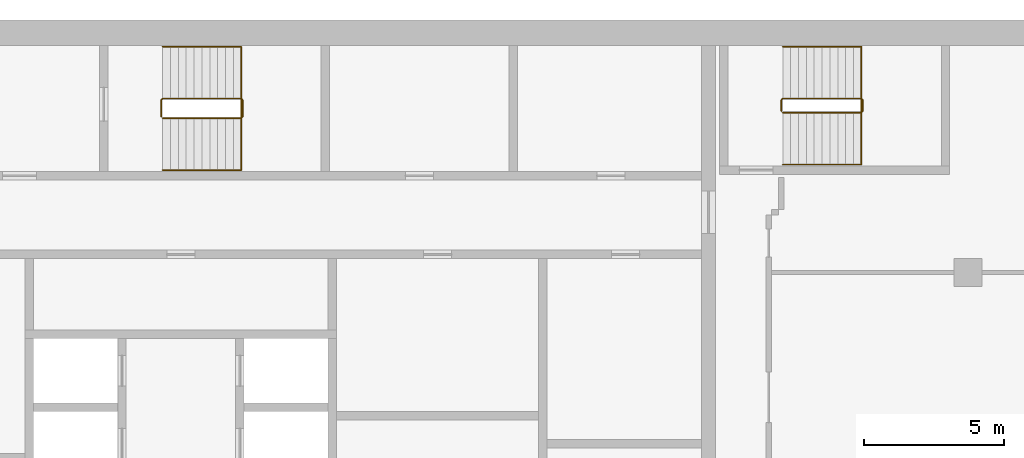
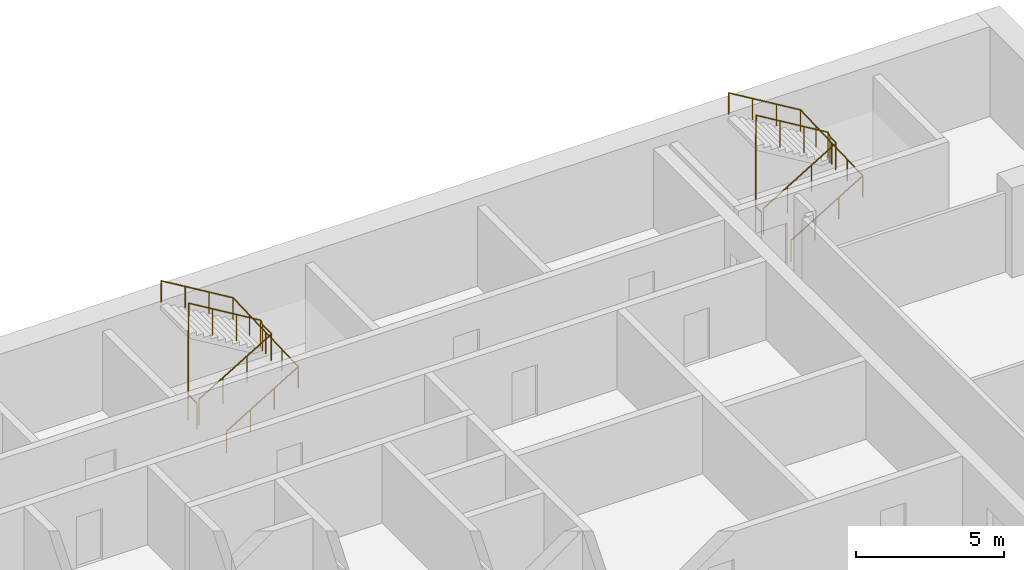
# One storey, part 17 of 17: 4 railings.
"""IFC4 building model written with IfcOpenShell, lengths in metres."""

from ifc_helpers import new_model, si_unit, direction, frame, origin, origin_2d, place, context, subcontext, project, spatial, circle, extrude, material, type_object, element, save


model = new_model("IFC4")

# Units and contexts
model_context = context("Model", 3, precision=1e-05, world=origin(), true_north=direction((0.0, 1.0)))
body_context = subcontext(model_context, "Body", "Model", "MODEL_VIEW")
ifc_project = project(units=[si_unit("LENGTHUNIT", "METRE"), si_unit("AREAUNIT", "SQUARE_METRE"), si_unit("VOLUMEUNIT", "CUBIC_METRE"), si_unit("PLANEANGLEUNIT", "RADIAN"), si_unit("MASSUNIT", "GRAM", prefix="KILO")], contexts=[model_context])

# Site, building, storey
site_placement = place(None, origin())
site = spatial("IfcSite", under=ifc_project, at=site_placement, CompositionType="ELEMENT")
building_placement = place(site_placement, origin())
building = spatial("IfcBuilding", under=site, at=building_placement, Name="Hunhe Ridgeline Campus", CompositionType="ELEMENT")
storey_placement = place(building_placement, frame((0.0, 0.0, 272.5)))
storey = spatial("IfcBuildingStorey", under=building, at=storey_placement, Name="L70", CompositionType="ELEMENT", Elevation=272.5)

# Railings
ifc_material_1 = material(Name="Stainless steel balustrade", Category="steel")
railing_type_1 = type_object("IfcRailingType", Name="Stair guard 1100 stainless", PredefinedType="GUARDRAIL", material=ifc_material_1)
railing_1_placement = place(storey_placement, frame((16.300048828125, 95.5, 0.168212890625)))
element("IfcRailing", 1, at=railing_1_placement, inside=storey, type_object=railing_type_1, Name="L70 stair S1 guard", PredefinedType="GUARDRAIL", context=body_context, shape_type="SweptSolid", body=[
    extrude(circle(Radius=0.02392578125, at=origin_2d()), frame((0.0, 0.0, 1.076171875), z_axis=(0.857242210791, 0.0, 0.514913383045), x_axis=(0.0, 1.0, 0.0)), (0.0, 0.0, 1.0), 3.266357421875),
    extrude(circle(Radius=0.02392578125, at=origin_2d()), frame((2.800048828125, 0.0, 2.7578125), z_axis=(0.705375805398, 0.708833529934, 0.0), x_axis=(-0.708833529934, 0.705375805398, 0.0)), (0.0, 0.0, 1.0), 0.070556640625),
    extrude(circle(Radius=0.02392578125, at=origin_2d()), frame((2.849853515625, 0.050048828125, 2.7578125), z_axis=(0.0, 1.0, 0.0), x_axis=(-1.0, 0.0, 0.0)), (0.0, 0.0, 1.0), 0.599853515625),
    extrude(circle(Radius=0.02392578125, at=origin_2d()), frame((2.849853515625, 0.64990234375, 2.7578125), z_axis=(-0.273343290215, 0.274683208305, 0.921863645432), x_axis=(-0.708833529934, -0.705375805398, 0.0)), (0.0, 0.0, 1.0), 0.18212890625),
    extrude(circle(Radius=0.02392578125, at=origin_2d()), frame((2.800048828125, 0.699951171875, 2.92578125), z_axis=(-0.857242210791, 0.0, 0.514913383045), x_axis=(0.0, -1.0, 0.0)), (0.0, 0.0, 1.0), 3.266357421875),
    extrude(circle(Radius=0.02392578125, at=origin_2d()), frame((0.0, 0.699951171875, 4.60791015625), z_axis=(-0.013524414389, -0.013524414389, -0.999817073484), x_axis=(0.707106781187, -0.707106781187, 0.0)), (0.0, 0.0, 1.0), 3.70068359375),
    extrude(circle(Radius=0.02392578125, at=origin_2d()), frame((-0.050048828125, 0.64990234375, 0.90771484375), z_axis=(0.0, -1.0, 0.0), x_axis=(1.0, 0.0, 0.0)), (0.0, 0.0, 1.0), 0.599853515625),
    extrude(circle(Radius=0.02099609375, at=origin_2d()), origin(), (0.0, 0.0, 1.0), 1.052001953125),
    extrude(circle(Radius=0.02099609375, at=origin_2d()), frame((0.933349609375, 0.0, 0.560546875)), (0.0, 0.0, 1.0), 1.052001953125),
    extrude(circle(Radius=0.02099609375, at=origin_2d()), frame((1.86669921875, 0.0, 1.121337890625)), (0.0, 0.0, 1.0), 1.052001953125),
    extrude(circle(Radius=0.02099609375, at=origin_2d()), frame((2.800048828125, 0.0, 1.681884765625)), (0.0, 0.0, 1.0), 1.052001953125),
    extrude(circle(Radius=0.02099609375, at=origin_2d()), frame((2.849853515625, 0.050048828125, 1.681884765625)), (0.0, 0.0, 1.0), 1.052001953125),
    extrude(circle(Radius=0.02099609375, at=origin_2d()), frame((2.849853515625, 0.64990234375, 1.681884765625)), (0.0, 0.0, 1.0), 1.052001953125),
    extrude(circle(Radius=0.02099609375, at=origin_2d()), frame((2.800048828125, 0.699951171875, 1.849853515625)), (0.0, 0.0, 1.0), 1.052001953125),
    extrude(circle(Radius=0.02099609375, at=origin_2d()), frame((1.86669921875, 0.699951171875, 2.410400390625)), (0.0, 0.0, 1.0), 1.052001953125),
    extrude(circle(Radius=0.02099609375, at=origin_2d()), frame((0.933349609375, 0.699951171875, 2.97119140625)), (0.0, 0.0, 1.0), 1.052001953125),
    extrude(circle(Radius=0.02099609375, at=origin_2d()), frame((0.0, 0.699951171875, 3.53173828125)), (0.0, 0.0, 1.0), 1.052001953125),
    extrude(circle(Radius=0.02099609375, at=origin_2d()), frame((-0.012451171875, 0.6875, 2.606689453125)), (0.0, 0.0, 1.0), 1.052001953125),
    extrude(circle(Radius=0.02099609375, at=origin_2d()), frame((-0.02490234375, 0.6748046875, 1.681640625)), (0.0, 0.0, 1.0), 1.052001953125),
    extrude(circle(Radius=0.02099609375, at=origin_2d()), frame((-0.03759765625, 0.662353515625, 0.7568359375)), (0.0, 0.0, 1.0), 1.052001953125),
    extrude(circle(Radius=0.02099609375, at=origin_2d()), frame((-0.050048828125, 0.64990234375, -0.168212890625)), (0.0, 0.0, 1.0), 1.052001953125),
    extrude(circle(Radius=0.02099609375, at=origin_2d()), frame((-0.050048828125, 0.050048828125, -0.168212890625)), (0.0, 0.0, 1.0), 1.052001953125),
])
railing_2_placement = place(storey_placement, frame((38.39990234375, 95.699951171875, 0.168212890625)))
element("IfcRailing", 2, at=railing_2_placement, inside=storey, type_object=railing_type_1, Name="L70 stair E1 guard", PredefinedType="GUARDRAIL", context=body_context, shape_type="SweptSolid", body=[
    extrude(circle(Radius=0.02392578125, at=origin_2d()), frame((0.0, 0.0, 1.076171875), z_axis=(0.857242210791, 0.0, 0.514913383045), x_axis=(0.0, 1.0, 0.0)), (0.0, 0.0, 1.0), 3.266357421875),
    extrude(circle(Radius=0.02392578125, at=origin_2d()), frame((2.800048828125, 0.0, 2.7578125), z_axis=(0.707106781187, 0.707106781187, 0.0), x_axis=(-0.707106781187, 0.707106781187, 0.0)), (0.0, 0.0, 1.0), 0.07080078125),
    extrude(circle(Radius=0.02392578125, at=origin_2d()), frame((2.85009765625, 0.050048828125, 2.7578125), z_axis=(0.0, 1.0, 0.0), x_axis=(-1.0, 0.0, 0.0)), (0.0, 0.0, 1.0), 0.39990234375),
    extrude(circle(Radius=0.02392578125, at=origin_2d()), frame((2.85009765625, 0.449951171875, 2.7578125), z_axis=(-0.274582412415, 0.274582412415, 0.921525364591), x_axis=(-0.707106781187, -0.707106781187, 0.0)), (0.0, 0.0, 1.0), 0.182373046875),
    extrude(circle(Radius=0.02392578125, at=origin_2d()), frame((2.800048828125, 0.5, 2.92578125), z_axis=(-0.857242210791, 0.0, 0.514913383045), x_axis=(0.0, -1.0, 0.0)), (0.0, 0.0, 1.0), 3.266357421875),
    extrude(circle(Radius=0.02392578125, at=origin_2d()), frame((0.0, 0.5, 4.60791015625), z_axis=(-0.013458453615, -0.013524426427, -0.999817963389), x_axis=(0.708833529934, -0.705375805398, 0.0)), (0.0, 0.0, 1.0), 3.70068359375),
    extrude(circle(Radius=0.02392578125, at=origin_2d()), frame((-0.0498046875, 0.449951171875, 0.90771484375), z_axis=(0.0, -1.0, 0.0), x_axis=(1.0, 0.0, 0.0)), (0.0, 0.0, 1.0), 0.39990234375),
    extrude(circle(Radius=0.02099609375, at=origin_2d()), origin(), (0.0, 0.0, 1.0), 1.052001953125),
    extrude(circle(Radius=0.02099609375, at=origin_2d()), frame((0.933349609375, 0.0, 0.560546875)), (0.0, 0.0, 1.0), 1.052001953125),
    extrude(circle(Radius=0.02099609375, at=origin_2d()), frame((1.86669921875, 0.0, 1.121337890625)), (0.0, 0.0, 1.0), 1.052001953125),
    extrude(circle(Radius=0.02099609375, at=origin_2d()), frame((2.800048828125, 0.0, 1.681884765625)), (0.0, 0.0, 1.0), 1.052001953125),
    extrude(circle(Radius=0.02099609375, at=origin_2d()), frame((2.85009765625, 0.050048828125, 1.681884765625)), (0.0, 0.0, 1.0), 1.052001953125),
    extrude(circle(Radius=0.02099609375, at=origin_2d()), frame((2.85009765625, 0.449951171875, 1.681884765625)), (0.0, 0.0, 1.0), 1.052001953125),
    extrude(circle(Radius=0.02099609375, at=origin_2d()), frame((2.800048828125, 0.5, 1.849853515625)), (0.0, 0.0, 1.0), 1.052001953125),
    extrude(circle(Radius=0.02099609375, at=origin_2d()), frame((1.86669921875, 0.5, 2.410400390625)), (0.0, 0.0, 1.0), 1.052001953125),
    extrude(circle(Radius=0.02099609375, at=origin_2d()), frame((0.933349609375, 0.5, 2.97119140625)), (0.0, 0.0, 1.0), 1.052001953125),
    extrude(circle(Radius=0.02099609375, at=origin_2d()), frame((0.0, 0.5, 3.53173828125)), (0.0, 0.0, 1.0), 1.052001953125),
    extrude(circle(Radius=0.02099609375, at=origin_2d()), frame((-0.012451171875, 0.487548828125, 2.606689453125)), (0.0, 0.0, 1.0), 1.052001953125),
    extrude(circle(Radius=0.02099609375, at=origin_2d()), frame((-0.02490234375, 0.47509765625, 1.681640625)), (0.0, 0.0, 1.0), 1.052001953125),
    extrude(circle(Radius=0.02099609375, at=origin_2d()), frame((-0.037353515625, 0.46240234375, 0.7568359375)), (0.0, 0.0, 1.0), 1.052001953125),
    extrude(circle(Radius=0.02099609375, at=origin_2d()), frame((-0.0498046875, 0.449951171875, -0.168212890625)), (0.0, 0.0, 1.0), 1.052001953125),
    extrude(circle(Radius=0.02099609375, at=origin_2d()), frame((-0.0498046875, 0.050048828125, -0.168212890625)), (0.0, 0.0, 1.0), 1.052001953125),
])
ifc_material_2 = material(Name="Stainless steel handrail", Category="steel")
railing_type_2 = type_object("IfcRailingType", Name="Stair handrail 900 stainless", PredefinedType="HANDRAIL", material=ifc_material_2)
railing_3_placement = place(storey_placement, frame((16.300048828125, 93.64990234375, 0.168212890625)))
element("IfcRailing", 3, at=railing_3_placement, inside=storey, type_object=railing_type_2, Name="L70 stair S1 handrail", PredefinedType="HANDRAIL", context=body_context, shape_type="SweptSolid", body=[
    extrude(circle(Radius=0.02392578125, at=origin_2d()), frame((0.0, 0.0, 0.8759765625), z_axis=(0.857242210791, 0.0, 0.514913383045), x_axis=(0.0, 1.0, 0.0)), (0.0, 0.0, 1.0), 3.266357421875),
    extrude(circle(Radius=0.02392578125, at=origin_2d()), frame((2.800048828125, 0.0, 2.5576171875), z_axis=(0.0, 0.999272189381, 0.038145662004), x_axis=(-1.0, 0.0, 0.0)), (0.0, 0.0, 1.0), 4.4033203125),
    extrude(circle(Radius=0.02392578125, at=origin_2d()), frame((2.800048828125, 4.400146484375, 2.7255859375), z_axis=(-0.857242210791, 0.0, 0.514913383045), x_axis=(0.0, -1.0, 0.0)), (0.0, 0.0, 1.0), 3.266357421875),
    extrude(circle(Radius=0.02099609375, at=origin_2d()), origin(), (0.0, 0.0, 1.0), 0.851806640625),
    extrude(circle(Radius=0.02099609375, at=origin_2d()), frame((0.933349609375, 0.0, 0.560546875)), (0.0, 0.0, 1.0), 0.851806640625),
    extrude(circle(Radius=0.02099609375, at=origin_2d()), frame((1.86669921875, 0.0, 1.121337890625)), (0.0, 0.0, 1.0), 0.851806640625),
    extrude(circle(Radius=0.02099609375, at=origin_2d()), frame((2.800048828125, 0.0, 1.681884765625)), (0.0, 0.0, 1.0), 0.851806640625),
    extrude(circle(Radius=0.02099609375, at=origin_2d()), frame((2.800048828125, 1.10009765625, 1.723876953125)), (0.0, 0.0, 1.0), 0.851806640625),
    extrude(circle(Radius=0.02099609375, at=origin_2d()), frame((2.800048828125, 2.2001953125, 1.765869140625)), (0.0, 0.0, 1.0), 0.851806640625),
    extrude(circle(Radius=0.02099609375, at=origin_2d()), frame((2.800048828125, 3.300048828125, 1.807861328125)), (0.0, 0.0, 1.0), 0.851806640625),
    extrude(circle(Radius=0.02099609375, at=origin_2d()), frame((2.800048828125, 4.400146484375, 1.849853515625)), (0.0, 0.0, 1.0), 0.851806640625),
    extrude(circle(Radius=0.02099609375, at=origin_2d()), frame((1.86669921875, 4.400146484375, 2.410400390625)), (0.0, 0.0, 1.0), 0.851806640625),
    extrude(circle(Radius=0.02099609375, at=origin_2d()), frame((0.933349609375, 4.400146484375, 2.97119140625)), (0.0, 0.0, 1.0), 0.851806640625),
    extrude(circle(Radius=0.02099609375, at=origin_2d()), frame((0.0, 4.400146484375, 3.53173828125)), (0.0, 0.0, 1.0), 0.851806640625),
])
railing_4_placement = place(storey_placement, frame((38.39990234375, 93.85009765625, 0.168212890625)))
element("IfcRailing", 4, at=railing_4_placement, inside=storey, type_object=railing_type_2, Name="L70 stair E1 handrail", PredefinedType="HANDRAIL", context=body_context, shape_type="SweptSolid", body=[
    extrude(circle(Radius=0.02392578125, at=origin_2d()), frame((0.0, 0.0, 0.8759765625), z_axis=(0.857242210791, 0.0, 0.514913383045), x_axis=(0.0, 1.0, 0.0)), (0.0, 0.0, 1.0), 3.266357421875),
    extrude(circle(Radius=0.02392578125, at=origin_2d()), frame((2.800048828125, 0.0, 2.5576171875), z_axis=(0.0, 0.99920123705, 0.039961079526), x_axis=(-1.0, 0.0, 0.0)), (0.0, 0.0, 1.0), 4.203369140625),
    extrude(circle(Radius=0.02392578125, at=origin_2d()), frame((2.800048828125, 4.199951171875, 2.7255859375), z_axis=(-0.857242210791, 0.0, 0.514913383045), x_axis=(0.0, -1.0, 0.0)), (0.0, 0.0, 1.0), 3.266357421875),
    extrude(circle(Radius=0.02099609375, at=origin_2d()), origin(), (0.0, 0.0, 1.0), 0.851806640625),
    extrude(circle(Radius=0.02099609375, at=origin_2d()), frame((0.933349609375, 0.0, 0.560546875)), (0.0, 0.0, 1.0), 0.851806640625),
    extrude(circle(Radius=0.02099609375, at=origin_2d()), frame((1.86669921875, 0.0, 1.121337890625)), (0.0, 0.0, 1.0), 0.851806640625),
    extrude(circle(Radius=0.02099609375, at=origin_2d()), frame((2.800048828125, 0.0, 1.681884765625)), (0.0, 0.0, 1.0), 0.851806640625),
    extrude(circle(Radius=0.02099609375, at=origin_2d()), frame((2.800048828125, 1.050048828125, 1.723876953125)), (0.0, 0.0, 1.0), 0.851806640625),
    extrude(circle(Radius=0.02099609375, at=origin_2d()), frame((2.800048828125, 2.10009765625, 1.765869140625)), (0.0, 0.0, 1.0), 0.851806640625),
    extrude(circle(Radius=0.02099609375, at=origin_2d()), frame((2.800048828125, 3.14990234375, 1.807861328125)), (0.0, 0.0, 1.0), 0.851806640625),
    extrude(circle(Radius=0.02099609375, at=origin_2d()), frame((2.800048828125, 4.199951171875, 1.849853515625)), (0.0, 0.0, 1.0), 0.851806640625),
    extrude(circle(Radius=0.02099609375, at=origin_2d()), frame((1.86669921875, 4.199951171875, 2.410400390625)), (0.0, 0.0, 1.0), 0.851806640625),
    extrude(circle(Radius=0.02099609375, at=origin_2d()), frame((0.933349609375, 4.199951171875, 2.97119140625)), (0.0, 0.0, 1.0), 0.851806640625),
    extrude(circle(Radius=0.02099609375, at=origin_2d()), frame((0.0, 4.199951171875, 3.53173828125)), (0.0, 0.0, 1.0), 0.851806640625),
])

save(model, "model.ifc")
